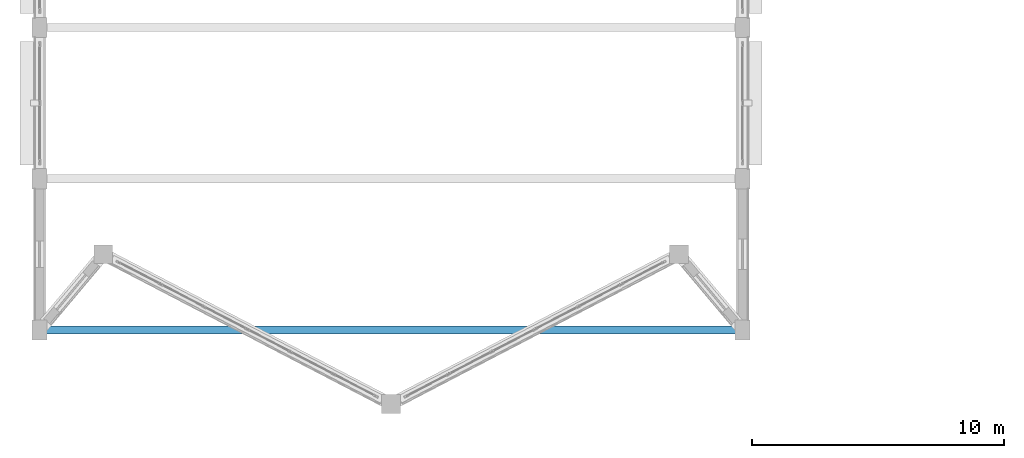
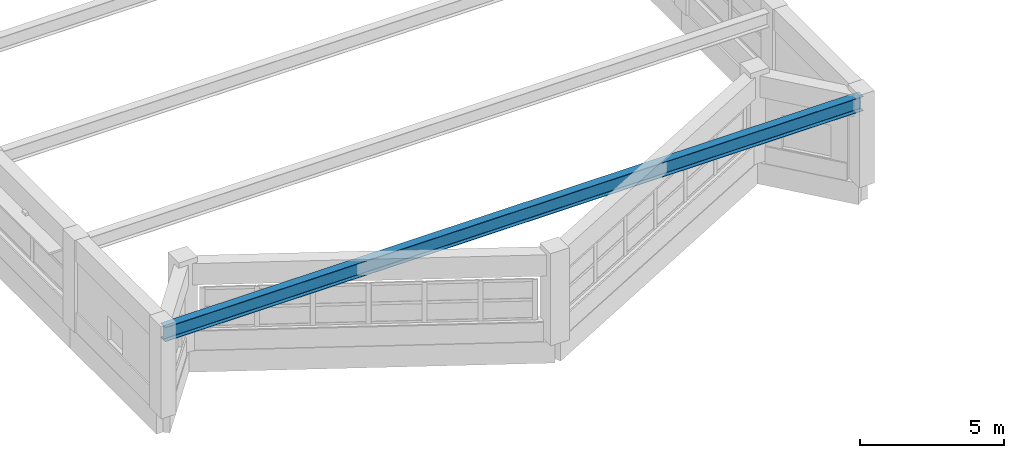
# One storey, part 5 of 108: 1 beam.
"""IFC4 building model written with IfcOpenShell, lengths in metres."""

from ifc_helpers import new_model, si_unit, direction, frame, origin, origin_2d, place, context, subcontext, project, spatial, i_section, extrude, material, material_profile, profile_set, type_object, element, save


model = new_model("IFC4")

# Units and contexts
model_context = context("Model", 3, precision=1e-05, world=origin(), true_north=direction((0.0, 1.0)))
body_context = subcontext(model_context, "Body", "Model", "MODEL_VIEW")
ifc_project = project(units=[si_unit("LENGTHUNIT", "METRE"), si_unit("AREAUNIT", "SQUARE_METRE"), si_unit("VOLUMEUNIT", "CUBIC_METRE"), si_unit("PLANEANGLEUNIT", "RADIAN"), si_unit("MASSUNIT", "GRAM", prefix="KILO")], contexts=[model_context])

# Site, building, storey
site_placement = place(None, origin())
site = spatial("IfcSite", under=ifc_project, at=site_placement, CompositionType="ELEMENT")
building_placement = place(site_placement, origin())
building = spatial("IfcBuilding", under=site, at=building_placement, Name="Vespera Passage Community Centre", CompositionType="ELEMENT")
storey_placement = place(building_placement, frame((0.0, 0.0, 12.60009765625)))
storey = spatial("IfcBuildingStorey", under=building, at=storey_placement, Name="L03", CompositionType="ELEMENT", Elevation=12.60009765625)

# Beam
ifc_material = material(Name="Steel ASTM A992 Grade 50", Category="steel")
ifc_material_profile = material_profile(ifc_material, i_section(OverallWidth=0.323974609375, OverallDepth=0.611083984375, WebThickness=0.0126953125, FlangeThickness=0.01904296875, FilletRadius=0.0126953125, at=origin_2d()), Name="W24X104")
ifc_profile_set = profile_set([ifc_material_profile], Name="Steel ASTM A992 Grade 50")
beam_type = type_object("IfcBeamType", Name="BM-G-W24X104", PredefinedType="BEAM", material=ifc_profile_set)
beam_placement = place(storey_placement, frame((4.050048828125, 7.0, 3.314453125), z_axis=(1.0, 0.0, 0.0), x_axis=(0.0, 1.0, 0.0)))
element("IfcBeam", 1, at=beam_placement, inside=storey, type_object=beam_type, Name="Main Hall Vault Thrust Tie 1", PredefinedType="BEAM", context=body_context, shape_type="SweptSolid", body=[
    extrude(i_section(OverallWidth=0.323974609375, OverallDepth=0.611083984375, WebThickness=0.0126953125, FlangeThickness=0.01904296875, FilletRadius=0.0126953125, at=origin_2d()), origin(), (0.0, 0.0, 1.0), 27.89990234375),
])

save(model, "model.ifc")
